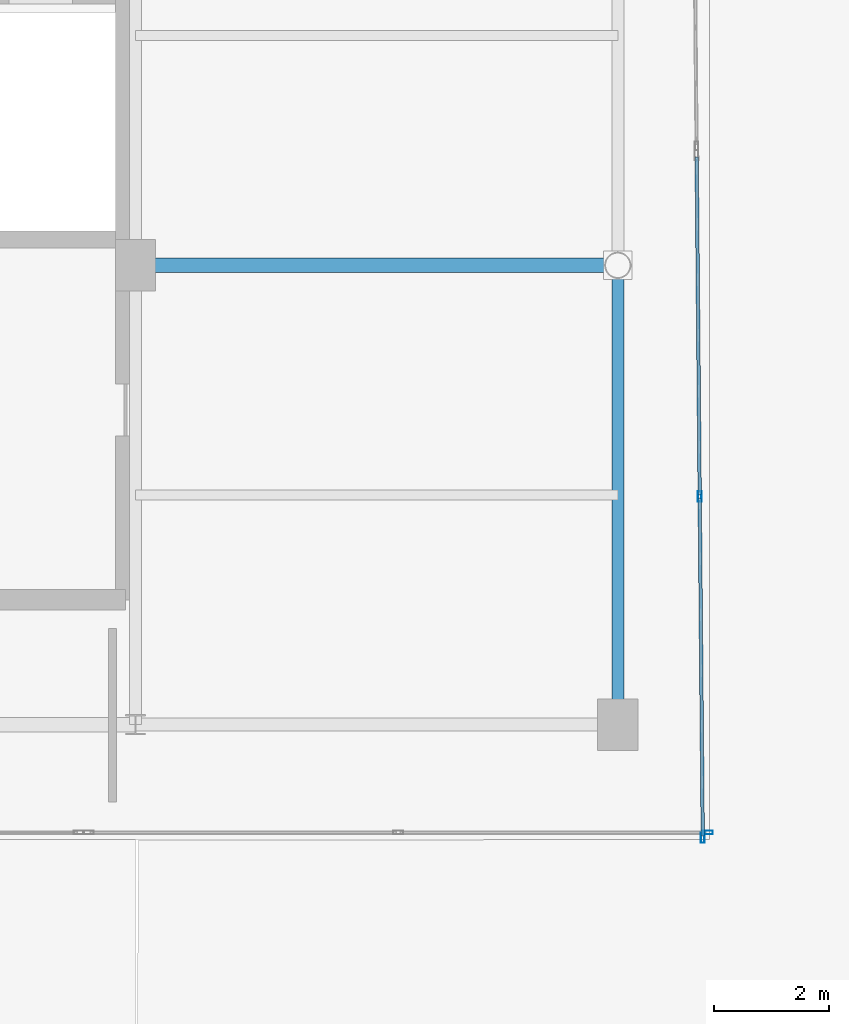
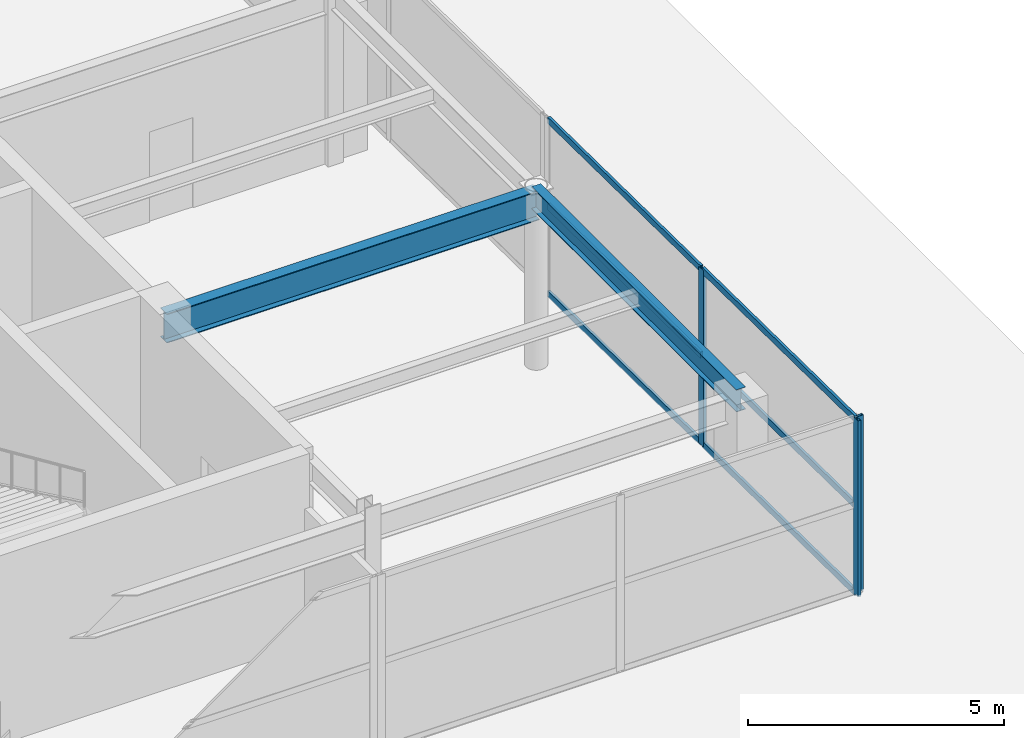
# One storey, part 45 of 107: 9 members, 2 beams, 2 elements without a shape of their own.
"""IFC4 building model written with IfcOpenShell, lengths in metres."""

from ifc_helpers import new_model, si_unit, direction, frame, origin, origin_2d, place, context, subcontext, project, spatial, hollow_rectangle, i_section, extrude, material, layer, layer_set, material_profile, profile_set, type_object, element, aggregate, save


model = new_model("IFC4")

# Units and contexts
model_context = context("Model", 3, precision=1e-05, world=origin(), true_north=direction((0.0, 1.0)))
body_context = subcontext(model_context, "Body", "Model", "MODEL_VIEW")
ifc_project = project(units=[si_unit("LENGTHUNIT", "METRE"), si_unit("AREAUNIT", "SQUARE_METRE"), si_unit("VOLUMEUNIT", "CUBIC_METRE"), si_unit("PLANEANGLEUNIT", "RADIAN"), si_unit("MASSUNIT", "GRAM", prefix="KILO")], contexts=[model_context])

# Site, building, storey
site_placement = place(None, origin())
site = spatial("IfcSite", under=ifc_project, at=site_placement, CompositionType="ELEMENT")
building_placement = place(site_placement, origin())
building = spatial("IfcBuilding", under=site, at=building_placement, Name="Kalgoora Escarpment Arena", CompositionType="ELEMENT")
storey_placement = place(building_placement, frame((0.0, 0.0, 5.39990234375)))
storey = spatial("IfcBuildingStorey", under=building, at=storey_placement, Name="L01", CompositionType="ELEMENT", Elevation=5.39990234375)

# Beams
ifc_material_1 = material(Name="Structural steel AS/NZS 3679 (300 MPa)", Category="steel")
ifc_material_profile_1 = material_profile(ifc_material_1, i_section(OverallWidth=0.208984375, OverallDepth=0.532958984375, WebThickness=0.01025390625, FlangeThickness=0.015625, at=origin_2d()))
ifc_profile_set_1 = profile_set([ifc_material_profile_1], Name="Structural steel AS/NZS 3679 (300 MPa)")
beam_type_1 = type_object("IfcBeamType", Name="BM-GIRDER-530UB92.4", PredefinedType="USERDEFINED", material=ifc_profile_set_1)
beam_1_placement = place(storey_placement, frame((176.39990234375, 8.0, 3.99365234375), z_axis=(0.0, 1.0, 0.0), x_axis=(-1.0, 0.0, 0.0)))
element("IfcBeam", 1, at=beam_1_placement, inside=storey, type_object=beam_type_1, Name="L01 Floor girder 530UB92.4", ObjectType="GIRDER", PredefinedType="USERDEFINED", context=body_context, shape_type="SweptSolid", body=[
    extrude(i_section(OverallWidth=0.208984375, OverallDepth=0.532958984375, WebThickness=0.01025390625, FlangeThickness=0.015625, at=origin_2d()), origin(), (0.0, 0.0, 1.0), 8.0),
])
ifc_material_2 = material(Name="Structural steel AS/NZS 3679 (300 MPa)", Category="steel")
ifc_material_profile_2 = material_profile(ifc_material_2, i_section(OverallWidth=0.25, OverallDepth=0.699951171875, WebThickness=0.010009765625, FlangeThickness=0.02001953125, at=origin_2d()))
ifc_profile_set_2 = profile_set([ifc_material_profile_2], Name="Structural steel AS/NZS 3679 (300 MPa)")
beam_type_2 = type_object("IfcBeamType", Name="BM-GIRDER-700WB130", PredefinedType="USERDEFINED", material=ifc_profile_set_2)
beam_2_placement = place(storey_placement, frame((168.0, 16.0, 3.85009765625), z_axis=(1.0, 0.0, 0.0), x_axis=(0.0, 1.0, 0.0)))
element("IfcBeam", 2, at=beam_2_placement, inside=storey, type_object=beam_type_2, Name="L01 Floor girder 700WB130", ObjectType="GIRDER", PredefinedType="USERDEFINED", context=body_context, shape_type="SweptSolid", body=[
    extrude(i_section(OverallWidth=0.25, OverallDepth=0.699951171875, WebThickness=0.010009765625, FlangeThickness=0.02001953125, at=origin_2d()), origin(), (0.0, 0.0, 1.0), 8.39990234375),
])

# Curtain wall, member
ifc_material_3 = material(Name=" Champagne anodised aluminium & double-glazed low-E", Category="aluminium")
ifc_layer_1 = layer(ifc_material_3, 0.157958984375)
ifc_layer_set_1 = layer_set([ifc_layer_1], Name="CW-UNIT-02")
curtain_wall_type_1 = type_object("IfcCurtainWallType", Name="CW-UNIT-02", PredefinedType="NOTDEFINED", material=ifc_layer_set_1)
curtain_wall_1_placement = place(storey_placement, origin())
curtain_wall_1 = element("IfcCurtainWall", 3, at=curtain_wall_1_placement, inside=storey, type_object=curtain_wall_type_1, Name="L01 unitised facade curtain wall 001", PredefinedType="NOTDEFINED")
ifc_material_4 = material(Name="Anodised aluminium 6063-T6", Category="aluminium")
ifc_material_profile_3 = material_profile(ifc_material_4, hollow_rectangle(XDim=0.06494140625, YDim=0.179931640625, WallThickness=0.00390625, at=origin_2d()))
ifc_profile_set_3 = profile_set([ifc_material_profile_3], Name="Anodised aluminium 6063-T6")
member_type_1 = type_object("IfcMemberType", Name="MEM-CW-MULL-180", PredefinedType="MULLION", material=ifc_profile_set_3)
member_1_placement = place(storey_placement, frame((177.967529296875, 6.1201171875, 0.02001953125), z_axis=(0.0, 0.0, 1.0), x_axis=(0.0, -1.0, 0.0)))
member_1 = element("IfcMember", 4, at=member_1_placement, type_object=member_type_1, Name="CW-02 mullion 1", PredefinedType="MULLION", context=body_context, shape_type="SweptSolid", body=[
    extrude(hollow_rectangle(XDim=0.06494140625, YDim=0.179931640625, WallThickness=0.00390625, at=origin_2d()), origin(), (0.0, 0.0, 1.0), 4.190185546875),
])
aggregate(curtain_wall_1, [member_1])

# Curtain wall, members
ifc_material_5 = material(Name=" Champagne anodised aluminium & double-glazed low-E", Category="aluminium")
ifc_layer_2 = layer(ifc_material_5, 0.154052734375)
ifc_layer_set_2 = layer_set([ifc_layer_2], Name="CW-UNIT-01")
curtain_wall_type_2 = type_object("IfcCurtainWallType", Name="CW-UNIT-01", PredefinedType="NOTDEFINED", material=ifc_layer_set_2)
curtain_wall_2_placement = place(storey_placement, origin())
curtain_wall_2 = element("IfcCurtainWall", 5, at=curtain_wall_2_placement, inside=storey, type_object=curtain_wall_type_2, Name="L01 unitised facade curtain wall 040", PredefinedType="NOTDEFINED")
member_2_placement = place(storey_placement, frame((177.826416015625, 11.973876953125, 0.02001953125), z_axis=(0.0, 0.0, 1.0), x_axis=(0.999959915577, 0.008953615986, 0.0)))
member_2 = element("IfcMember", 6, at=member_2_placement, type_object=member_type_1, Name="CW-01 mullion 2", PredefinedType="MULLION", context=body_context, shape_type="SweptSolid", body=[
    extrude(hollow_rectangle(XDim=0.06494140625, YDim=0.179931640625, WallThickness=0.00390625, at=origin_2d()), origin(), (0.0, 0.0, 1.0), 4.2001953125),
])
member_3_placement = place(storey_placement, frame((177.879638671875, 6.031494140625, 0.02001953125), z_axis=(0.0, 0.0, 1.0), x_axis=(0.999959915577, 0.008953615986, 0.0)))
member_3 = element("IfcMember", 7, at=member_3_placement, type_object=member_type_1, Name="CW-01 mullion 3", PredefinedType="MULLION", context=body_context, shape_type="SweptSolid", body=[
    extrude(hollow_rectangle(XDim=0.06494140625, YDim=0.179931640625, WallThickness=0.00390625, at=origin_2d()), origin(), (0.0, 0.0, 1.0), 4.2001953125),
])
ifc_material_6 = material(Name="Anodised aluminium 6063-T6", Category="aluminium")
ifc_material_profile_4 = material_profile(ifc_material_6, hollow_rectangle(XDim=0.06005859375, YDim=0.14990234375, WallThickness=0.00341796875, at=origin_2d()))
ifc_profile_set_4 = profile_set([ifc_material_profile_4], Name="Anodised aluminium 6063-T6")
member_type_2 = type_object("IfcMemberType", Name="MEM-CW-TRAN-150", PredefinedType="USERDEFINED", material=ifc_profile_set_4)
member_4_placement = place(storey_placement, frame((177.773681640625, 17.8837890625, 0.050048828125), z_axis=(0.008930440575, -0.99996012282, 0.0), x_axis=(0.99996012282, 0.008930440575, 0.0)))
member_4 = element("IfcMember", 8, at=member_4_placement, type_object=member_type_2, Name="CW-01 transom 1.1", ObjectType="TRANSOM", PredefinedType="USERDEFINED", context=body_context, shape_type="SweptSolid", body=[
    extrude(hollow_rectangle(XDim=0.06005859375, YDim=0.14990234375, WallThickness=0.00341796875, at=origin_2d()), origin(), (0.0, 0.0, 1.0), 5.877685546875),
])
member_5_placement = place(storey_placement, frame((177.773681640625, 17.8837890625, 2.130126953125), z_axis=(0.008930440575, -0.99996012282, 0.0), x_axis=(0.99996012282, 0.008930440575, 0.0)))
member_5 = element("IfcMember", 9, at=member_5_placement, type_object=member_type_2, Name="CW-01 transom 1.2", ObjectType="TRANSOM", PredefinedType="USERDEFINED", context=body_context, shape_type="SweptSolid", body=[
    extrude(hollow_rectangle(XDim=0.06005859375, YDim=0.14990234375, WallThickness=0.00341796875, at=origin_2d()), origin(), (0.0, 0.0, 1.0), 5.877685546875),
])
member_6_placement = place(storey_placement, frame((177.773681640625, 17.8837890625, 4.190185546875), z_axis=(0.008930440575, -0.99996012282, 0.0), x_axis=(0.99996012282, 0.008930440575, 0.0)))
member_6 = element("IfcMember", 10, at=member_6_placement, type_object=member_type_2, Name="CW-01 transom 1.3", ObjectType="TRANSOM", PredefinedType="USERDEFINED", context=body_context, shape_type="SweptSolid", body=[
    extrude(hollow_rectangle(XDim=0.06005859375, YDim=0.14990234375, WallThickness=0.00341796875, at=origin_2d()), origin(), (0.0, 0.0, 1.0), 5.877685546875),
])
member_7_placement = place(storey_placement, frame((177.826904296875, 11.94140625, 0.050048828125), z_axis=(0.008930440575, -0.99996012282, 0.0), x_axis=(0.99996012282, 0.008930440575, 0.0)))
member_7 = element("IfcMember", 11, at=member_7_placement, type_object=member_type_2, Name="CW-01 transom 2.1", ObjectType="TRANSOM", PredefinedType="USERDEFINED", context=body_context, shape_type="SweptSolid", body=[
    extrude(hollow_rectangle(XDim=0.06005859375, YDim=0.14990234375, WallThickness=0.00341796875, at=origin_2d()), origin(), (0.0, 0.0, 1.0), 5.877685546875),
])
member_8_placement = place(storey_placement, frame((177.826904296875, 11.94140625, 2.130126953125), z_axis=(0.008930440575, -0.99996012282, 0.0), x_axis=(0.99996012282, 0.008930440575, 0.0)))
member_8 = element("IfcMember", 12, at=member_8_placement, type_object=member_type_2, Name="CW-01 transom 2.2", ObjectType="TRANSOM", PredefinedType="USERDEFINED", context=body_context, shape_type="SweptSolid", body=[
    extrude(hollow_rectangle(XDim=0.06005859375, YDim=0.14990234375, WallThickness=0.00341796875, at=origin_2d()), origin(), (0.0, 0.0, 1.0), 5.877685546875),
])
member_9_placement = place(storey_placement, frame((177.826904296875, 11.94140625, 4.190185546875), z_axis=(0.008930440575, -0.99996012282, 0.0), x_axis=(0.99996012282, 0.008930440575, 0.0)))
member_9 = element("IfcMember", 13, at=member_9_placement, type_object=member_type_2, Name="CW-01 transom 2.3", ObjectType="TRANSOM", PredefinedType="USERDEFINED", context=body_context, shape_type="SweptSolid", body=[
    extrude(hollow_rectangle(XDim=0.06005859375, YDim=0.14990234375, WallThickness=0.00341796875, at=origin_2d()), origin(), (0.0, 0.0, 1.0), 5.877685546875),
])
aggregate(curtain_wall_2, [member_2, member_3, member_4, member_5, member_6, member_7, member_8, member_9])

save(model, "model.ifc")
